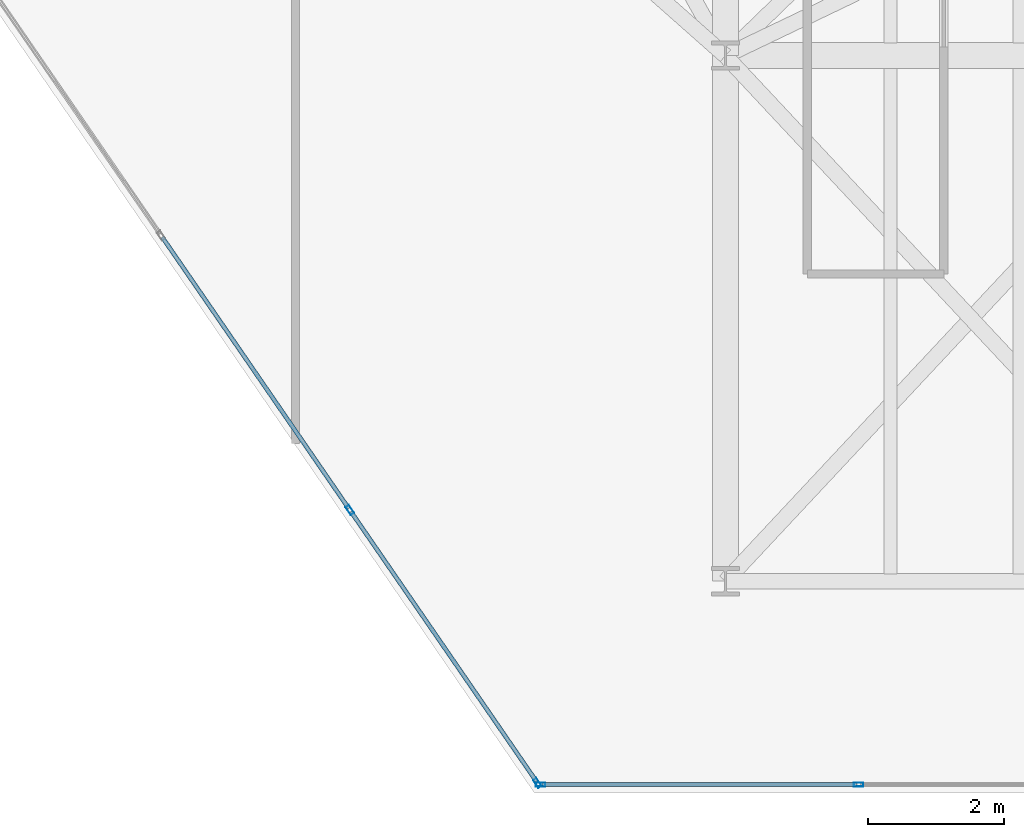
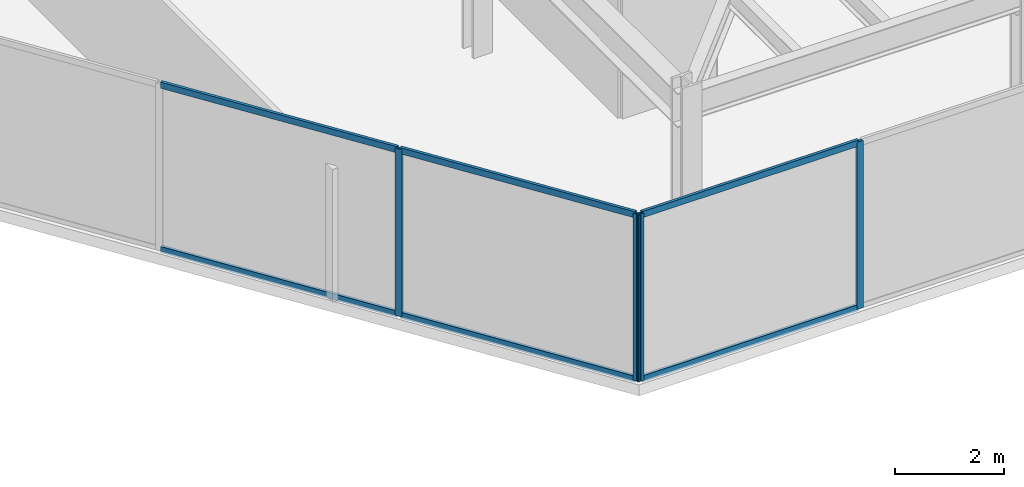
# One storey, part 10 of 21: 10 members, 2 elements without a shape of their own.
"""IFC4 building model written with IfcOpenShell, lengths in metres."""

from ifc_helpers import new_model, si_unit, direction, frame, origin, origin_2d, place, context, subcontext, project, spatial, hollow_rectangle, extrude, material, layer, layer_set, material_profile, profile_set, type_object, element, aggregate, save


model = new_model("IFC4")

# Units and contexts
model_context = context("Model", 3, precision=1e-05, world=origin(), true_north=direction((0.0, 1.0)))
body_context = subcontext(model_context, "Body", "Model", "MODEL_VIEW")
ifc_project = project(units=[si_unit("LENGTHUNIT", "METRE"), si_unit("AREAUNIT", "SQUARE_METRE"), si_unit("VOLUMEUNIT", "CUBIC_METRE"), si_unit("PLANEANGLEUNIT", "RADIAN"), si_unit("MASSUNIT", "GRAM", prefix="KILO")], contexts=[model_context])

# Site, building, storey
site_placement = place(None, origin())
site = spatial("IfcSite", under=ifc_project, at=site_placement, CompositionType="ELEMENT")
building_placement = place(site_placement, origin())
building = spatial("IfcBuilding", under=site, at=building_placement, Name="Kravanh Interchange Tower", CompositionType="ELEMENT")
storey_placement = place(building_placement, frame((0.0, 0.0, 184.5)))
storey = spatial("IfcBuildingStorey", under=building, at=storey_placement, Name="L44", CompositionType="ELEMENT", Elevation=184.5)

# Curtain wall, members
ifc_material_1 = material(Name="Anodised Bronze Aluminium", Category="aluminium")
ifc_layer = layer(ifc_material_1, 0.179931640625)
ifc_layer_set = layer_set([ifc_layer], Name="Unitised Curtain Wall System CW-Z3 Upper Office")
curtain_wall_type = type_object("IfcCurtainWallType", Name="Unitised Curtain Wall System CW-Z3 Upper Office", PredefinedType="NOTDEFINED", material=ifc_layer_set)
curtain_wall_1_placement = place(storey_placement, origin())
curtain_wall_1 = element("IfcCurtainWall", 1, at=curtain_wall_1_placement, inside=storey, type_object=curtain_wall_type, Name="L44 Unitised Curtain Wall CW-L44-02", PredefinedType="NOTDEFINED")
ifc_material_2 = material(Name="Anodised Bronze Aluminium", Category="aluminium")
ifc_material_profile_1 = material_profile(ifc_material_2, hollow_rectangle(XDim=0.06005859375, YDim=0.139892578125, WallThickness=0.00390625, at=origin_2d()), Name="ALU60X140X4")
ifc_profile_set_1 = profile_set([ifc_material_profile_1], Name="Anodised Bronze Aluminium")
member_type_1 = type_object("IfcMemberType", Name="Curtain Wall Mullion ALU60X140X4 Bronze", PredefinedType="MULLION", material=ifc_profile_set_1)
member_1_placement = place(storey_placement, frame((57.9521484375, 11.52001953125, 0.0), z_axis=(0.0, 0.0, 1.0), x_axis=(0.0, -1.0, 0.0)))
member_1 = element("IfcMember", 2, at=member_1_placement, type_object=member_type_1, Name="CW-Z3 mullion 2", PredefinedType="MULLION", context=body_context, shape_type="SweptSolid", body=[
    extrude(hollow_rectangle(XDim=0.06005859375, YDim=0.139892578125, WallThickness=0.00390625, at=origin_2d()), origin(), (0.0, 0.0, 1.0), 3.7548828125),
])
member_2_placement = place(storey_placement, frame((53.293212890625, 11.52001953125, 0.0), z_axis=(0.0, 0.0, 1.0), x_axis=(0.0, -1.0, 0.0)))
member_2 = element("IfcMember", 3, at=member_2_placement, type_object=member_type_1, Name="CW-Z3 mullion 3", PredefinedType="MULLION", context=body_context, shape_type="SweptSolid", body=[
    extrude(hollow_rectangle(XDim=0.06005859375, YDim=0.139892578125, WallThickness=0.00390625, at=origin_2d()), origin(), (0.0, 0.0, 1.0), 3.7548828125),
])

curtain_wall_2_placement = place(storey_placement, origin())
curtain_wall_2 = element("IfcCurtainWall", 4, at=curtain_wall_2_placement, inside=storey, type_object=curtain_wall_type, Name="L44 Unitised Curtain Wall CW-L44-03", PredefinedType="NOTDEFINED")
member_3_placement = place(storey_placement, frame((53.24609375, 11.544677734375, 0.0), z_axis=(0.0, 0.0, 1.0), x_axis=(-0.824042223035, -0.566528388217, 0.0)))
member_3 = element("IfcMember", 5, at=member_3_placement, type_object=member_type_1, Name="CW-Z3 mullion 1", PredefinedType="MULLION", context=body_context, shape_type="SweptSolid", body=[
    extrude(hollow_rectangle(XDim=0.06005859375, YDim=0.139892578125, WallThickness=0.00390625, at=origin_2d()), origin(), (0.0, 0.0, 1.0), 3.7548828125),
])
member_4_placement = place(storey_placement, frame((50.497314453125, 15.54296875, 0.0), z_axis=(0.0, 0.0, 1.0), x_axis=(-0.824042223035, -0.566528388217, 0.0)))
member_4 = element("IfcMember", 6, at=member_4_placement, type_object=member_type_1, Name="CW-Z3 mullion 2", PredefinedType="MULLION", context=body_context, shape_type="SweptSolid", body=[
    extrude(hollow_rectangle(XDim=0.06005859375, YDim=0.139892578125, WallThickness=0.00390625, at=origin_2d()), origin(), (0.0, 0.0, 1.0), 3.7548828125),
])

# Member
ifc_material_3 = material(Name="Anodised Bronze Aluminium", Category="aluminium")
ifc_material_profile_2 = material_profile(ifc_material_3, hollow_rectangle(XDim=0.06005859375, YDim=0.139892578125, WallThickness=0.00390625, at=origin_2d()), Name="ALU60X140X4")
ifc_profile_set_2 = profile_set([ifc_material_profile_2], Name="Anodised Bronze Aluminium")
member_type_2 = type_object("IfcMemberType", Name="Curtain Wall Transom ALU60X140X4 Bronze", PredefinedType="USERDEFINED", material=ifc_profile_set_2)
member_5_placement = place(storey_placement, frame((57.922119140625, 11.52001953125, 0.030029296875), z_axis=(-1.0, 0.0, 0.0), x_axis=(0.0, -1.0, 0.0)))
member_5 = element("IfcMember", 7, at=member_5_placement, type_object=member_type_2, Name="CW-Z3 transom 2.1", ObjectType="TRANSOM", PredefinedType="USERDEFINED", context=body_context, shape_type="SweptSolid", body=[
    extrude(hollow_rectangle(XDim=0.06005859375, YDim=0.139892578125, WallThickness=0.00390625, at=origin_2d()), origin(), (0.0, 0.0, 1.0), 4.59912109375),
])

member_6_placement = place(storey_placement, frame((57.922119140625, 11.52001953125, 3.72509765625), z_axis=(-1.0, 0.0, 0.0), x_axis=(0.0, -1.0, 0.0)))
member_6 = element("IfcMember", 8, at=member_6_placement, type_object=member_type_2, Name="CW-Z3 transom 2.2", ObjectType="TRANSOM", PredefinedType="USERDEFINED", context=body_context, shape_type="SweptSolid", body=[
    extrude(hollow_rectangle(XDim=0.06005859375, YDim=0.139892578125, WallThickness=0.00390625, at=origin_2d()), origin(), (0.0, 0.0, 1.0), 4.59912109375),
])

aggregate(curtain_wall_1, [member_1, member_2, member_5, member_6])

member_7_placement = place(storey_placement, frame((53.22900390625, 11.5693359375, 0.030029296875), z_axis=(-0.566483415384, 0.824073140016, 0.0), x_axis=(-0.824073140016, -0.566483415384, 0.0)))
member_7 = element("IfcMember", 9, at=member_7_placement, type_object=member_type_2, Name="CW-Z3 transom 1.1", ObjectType="TRANSOM", PredefinedType="USERDEFINED", context=body_context, shape_type="SweptSolid", body=[
    extrude(hollow_rectangle(XDim=0.06005859375, YDim=0.139892578125, WallThickness=0.00390625, at=origin_2d()), origin(), (0.0, 0.0, 1.0), 4.7919921875),
])

member_8_placement = place(storey_placement, frame((53.22900390625, 11.5693359375, 3.72509765625), z_axis=(-0.566483415384, 0.824073140016, 0.0), x_axis=(-0.824073140016, -0.566483415384, 0.0)))
member_8 = element("IfcMember", 10, at=member_8_placement, type_object=member_type_2, Name="CW-Z3 transom 1.2", ObjectType="TRANSOM", PredefinedType="USERDEFINED", context=body_context, shape_type="SweptSolid", body=[
    extrude(hollow_rectangle(XDim=0.06005859375, YDim=0.139892578125, WallThickness=0.00390625, at=origin_2d()), origin(), (0.0, 0.0, 1.0), 4.7919921875),
])

member_9_placement = place(storey_placement, frame((50.480224609375, 15.567626953125, 0.030029296875), z_axis=(-0.566503037389, 0.824059651135, 0.0), x_axis=(-0.824059651135, -0.566503037389, 0.0)))
member_9 = element("IfcMember", 11, at=member_9_placement, type_object=member_type_2, Name="CW-Z3 transom 2.1", ObjectType="TRANSOM", PredefinedType="USERDEFINED", context=body_context, shape_type="SweptSolid", body=[
    extrude(hollow_rectangle(XDim=0.06005859375, YDim=0.139892578125, WallThickness=0.00390625, at=origin_2d()), origin(), (0.0, 0.0, 1.0), 4.822021484375),
])

member_10_placement = place(storey_placement, frame((50.480224609375, 15.567626953125, 3.72509765625), z_axis=(-0.566503037389, 0.824059651135, 0.0), x_axis=(-0.824059651135, -0.566503037389, 0.0)))
member_10 = element("IfcMember", 12, at=member_10_placement, type_object=member_type_2, Name="CW-Z3 transom 2.2", ObjectType="TRANSOM", PredefinedType="USERDEFINED", context=body_context, shape_type="SweptSolid", body=[
    extrude(hollow_rectangle(XDim=0.06005859375, YDim=0.139892578125, WallThickness=0.00390625, at=origin_2d()), origin(), (0.0, 0.0, 1.0), 4.822021484375),
])

aggregate(curtain_wall_2, [member_3, member_4, member_7, member_8, member_9, member_10])

save(model, "model.ifc")
